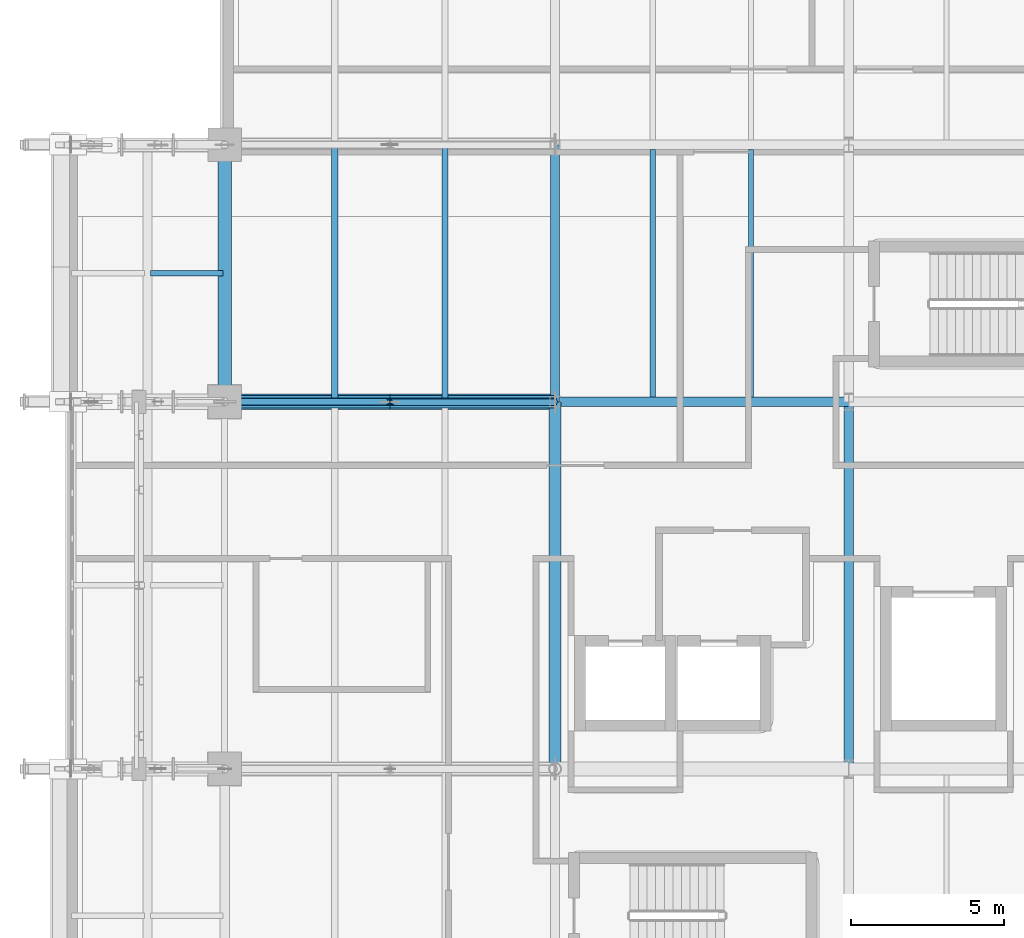
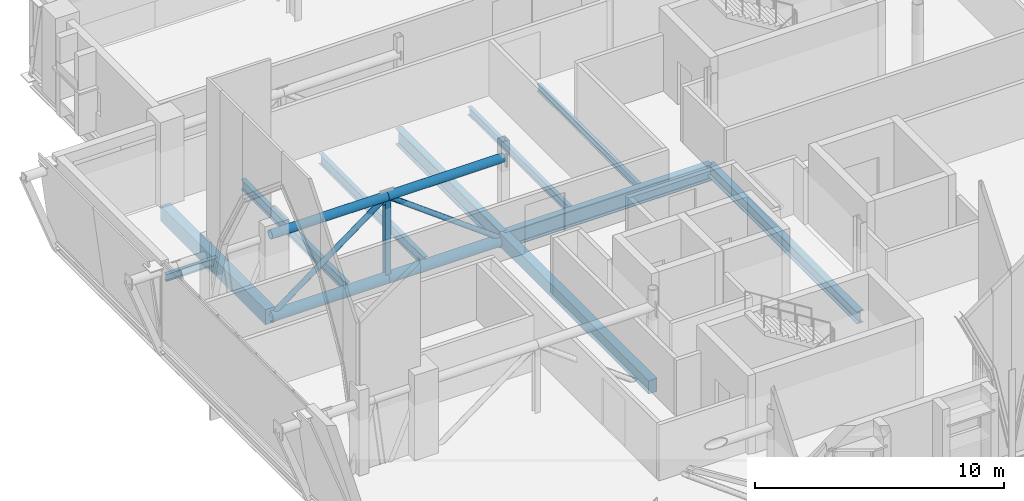
# One storey, part 22 of 90: 10 beams, 7 members.
"""IFC4 building model written with IfcOpenShell, lengths in metres."""

from ifc_helpers import new_model, si_unit, direction, frame, origin, origin_2d, place, context, subcontext, project, spatial, rectangle, hollow_circle, i_section, extrude, material, material_profile, profile_set, type_object, element, save


model = new_model("IFC4")

# Units and contexts
model_context = context("Model", 3, precision=1e-05, world=origin(), true_north=direction((0.0, 1.0)))
body_context = subcontext(model_context, "Body", "Model", "MODEL_VIEW")
ifc_project = project(units=[si_unit("LENGTHUNIT", "METRE"), si_unit("AREAUNIT", "SQUARE_METRE"), si_unit("VOLUMEUNIT", "CUBIC_METRE"), si_unit("PLANEANGLEUNIT", "RADIAN"), si_unit("MASSUNIT", "GRAM", prefix="KILO")], contexts=[model_context])

# Site, building, storey
site_placement = place(None, origin())
site = spatial("IfcSite", under=ifc_project, at=site_placement, CompositionType="ELEMENT")
building_placement = place(site_placement, origin())
building = spatial("IfcBuilding", under=site, at=building_placement, Name="Zereglee Splitstone Museum", CompositionType="ELEMENT")
storey_placement = place(building_placement, frame((0.0, 0.0, 4.800048828125)))
storey = spatial("IfcBuildingStorey", under=building, at=storey_placement, Name="L01", CompositionType="ELEMENT", Elevation=4.800048828125)

# Beam
ifc_material_1 = material(Name="Concrete C40/50", Category="concrete")
ifc_material_profile_1 = material_profile(ifc_material_1, rectangle(XDim=0.39990234375, YDim=0.64990234375, at=origin_2d()), Name="RC 400x650")
ifc_profile_set_1 = profile_set([ifc_material_profile_1], Name="Concrete C40/50")
beam_type_1 = type_object("IfcBeamType", Name="BG-04", PredefinedType="BEAM", material=ifc_profile_set_1)
beam_1_placement = place(storey_placement, frame((20.39990234375, 9.60009765625, -0.625), z_axis=(0.0, 1.0, 0.0), x_axis=(-1.0, 0.0, 0.0)))
element("IfcBeam", 1, at=beam_1_placement, inside=storey, type_object=beam_type_1, Name="Primary Girder L01 4 (9.6-21.6)", PredefinedType="BEAM", context=body_context, shape_type="SweptSolid", body=[
    extrude(rectangle(XDim=0.39990234375, YDim=0.64990234375, at=origin_2d()), origin(), (0.0, 0.0, 1.0), 12.0),
])

# Members
ifc_material_2 = material(Name="Steel S355J2H", Category="steel")
ifc_material_profile_2 = material_profile(ifc_material_2, hollow_circle(Radius=0.122314453125, WallThickness=0.012451171875, at=origin_2d()), Name="CHS 244.5x12.5")
ifc_profile_set_2 = profile_set([ifc_material_profile_2], Name="Steel S355J2H")
member_type_1 = type_object("IfcMemberType", Name="TB-02", PredefinedType="BRACE", material=ifc_profile_set_2)
for number, where, z_axis, x_axis, name in (
    (2, (9.60009765625, 21.60009765625, -0.699951171875), (0.803552044655, 0.0, 0.595234501294), (0.0, 1.0, 0.0), "Cantilever Truss CT-03 Web Brace L01-4"),
    (3, (20.39990234375, 21.60009765625, -0.699951171875), (-0.803552044655, 0.0, 0.595234501294), (0.0, -1.0, 0.0), "Cantilever Truss CT-03 Web Brace L01-5"),
):
    element("IfcMember", number, at=place(storey_placement, frame(where, z_axis=z_axis, x_axis=x_axis)), inside=storey, type_object=member_type_1, Name=name, PredefinedType="BRACE", context=body_context, shape_type="SweptSolid", body=[
        extrude(hollow_circle(Radius=0.122314453125, WallThickness=0.012451171875, at=origin_2d()), origin(), (0.0, 0.0, 1.0), 6.719970703125),
    ])
ifc_material_profile_3 = material_profile(ifc_material_2, hollow_circle(Radius=0.203125, WallThickness=0.02001953125, at=origin_2d()), Name="CHS 406.4x20")
ifc_profile_set_3 = profile_set([ifc_material_profile_3], Name="Steel S355J2H")
member_type_2 = type_object("IfcMemberType", Name="TC-03", PredefinedType="CHORD", material=ifc_profile_set_3)
for number, where, z_axis, x_axis, name in (
    (4, (9.60009765625, 21.60009765625, 3.300048828125), (1.0, 0.0, 0.0), (0.0, 1.0, 0.0), "Cantilever Truss CT-03 Top Chord L01-4"),
    (5, (15.0, 21.60009765625, 3.300048828125), (1.0, 0.0, 0.0), (0.0, 1.0, 0.0), "Cantilever Truss CT-03 Top Chord L01-5"),
):
    element("IfcMember", number, at=place(storey_placement, frame(where, z_axis=z_axis, x_axis=x_axis)), inside=storey, type_object=member_type_2, Name=name, PredefinedType="CHORD", context=body_context, shape_type="SweptSolid", body=[
        extrude(hollow_circle(Radius=0.203125, WallThickness=0.02001953125, at=origin_2d()), origin(), (0.0, 0.0, 1.0), 5.39990234375),
    ])
ifc_material_profile_4 = material_profile(ifc_material_2, hollow_circle(Radius=0.25390625, WallThickness=0.02490234375, at=origin_2d()), Name="CHS 508.0x25")
ifc_profile_set_4 = profile_set([ifc_material_profile_4], Name="Steel S355J2H")
member_type_3 = type_object("IfcMemberType", Name="TC-01", PredefinedType="CHORD", material=ifc_profile_set_4)
for number, where, z_axis, x_axis, name in (
    (6, (9.60009765625, 21.60009765625, -0.699951171875), (1.0, 0.0, 0.0), (0.0, 1.0, 0.0), "Cantilever Truss CT-03 Bottom Chord 4"),
    (7, (15.0, 21.60009765625, -0.699951171875), (1.0, 0.0, 0.0), (0.0, 1.0, 0.0), "Cantilever Truss CT-03 Bottom Chord 5"),
):
    element("IfcMember", number, at=place(storey_placement, frame(where, z_axis=z_axis, x_axis=x_axis)), inside=storey, type_object=member_type_3, Name=name, PredefinedType="CHORD", context=body_context, shape_type="SweptSolid", body=[
        extrude(hollow_circle(Radius=0.25390625, WallThickness=0.02490234375, at=origin_2d()), origin(), (0.0, 0.0, 1.0), 5.39990234375),
    ])

# Beams
ifc_material_3 = material(Name="Steel S355J2", Category="steel")
ifc_material_profile_5 = material_profile(ifc_material_3, i_section(OverallWidth=0.300048828125, OverallDepth=0.60009765625, WebThickness=0.015380859375, FlangeThickness=0.030029296875, FilletRadius=0.027099609375, at=origin_2d()), Name="HE 600 B")
ifc_profile_set_5 = profile_set([ifc_material_profile_5], Name="Steel S355J2")
beam_type_2 = type_object("IfcBeamType", Name="BG-10", PredefinedType="BEAM", material=ifc_profile_set_5)
beam_2_placement = place(storey_placement, frame((30.0, 9.60009765625, -0.60009765625), z_axis=(0.0, 1.0, 0.0), x_axis=(-1.0, 0.0, 0.0)))
element("IfcBeam", 8, at=beam_2_placement, inside=storey, type_object=beam_type_2, Name="Primary Girder L01 5 (9.6-21.6)", PredefinedType="BEAM", context=body_context, shape_type="SweptSolid", body=[
    extrude(i_section(OverallWidth=0.300048828125, OverallDepth=0.60009765625, WebThickness=0.015380859375, FlangeThickness=0.030029296875, FilletRadius=0.027099609375, at=origin_2d()), origin(), (0.0, 0.0, 1.0), 12.0),
])
ifc_material_profile_6 = material_profile(ifc_material_3, i_section(OverallWidth=0.300048828125, OverallDepth=0.800048828125, WebThickness=0.017578125, FlangeThickness=0.032958984375, FilletRadius=0.030029296875, at=origin_2d()), Name="HE 800 B")
ifc_profile_set_6 = profile_set([ifc_material_profile_6], Name="Steel S355J2")
beam_type_3 = type_object("IfcBeamType", Name="BG-07", PredefinedType="BEAM", material=ifc_profile_set_6)
beam_3_placement = place(storey_placement, frame((20.39990234375, 21.60009765625, -0.699951171875), z_axis=(1.0, 0.0, 0.0), x_axis=(0.0, 1.0, 0.0)))
element("IfcBeam", 9, at=beam_3_placement, inside=storey, type_object=beam_type_3, Name="Primary Girder L01 C (20.4-30.0)", PredefinedType="BEAM", context=body_context, shape_type="SweptSolid", body=[
    extrude(i_section(OverallWidth=0.300048828125, OverallDepth=0.800048828125, WebThickness=0.017578125, FlangeThickness=0.032958984375, FilletRadius=0.030029296875, at=origin_2d()), origin(), (0.0, 0.0, 1.0), 9.60009765625),
])
beam_4_placement = place(storey_placement, frame((20.39990234375, 21.60009765625, -0.699951171875), z_axis=(0.0, 1.0, 0.0), x_axis=(-1.0, 0.0, 0.0)))
element("IfcBeam", 10, at=beam_4_placement, inside=storey, type_object=beam_type_3, Name="Primary Girder L01 4 (21.6-30.0)", PredefinedType="BEAM", context=body_context, shape_type="SweptSolid", body=[
    extrude(i_section(OverallWidth=0.300048828125, OverallDepth=0.800048828125, WebThickness=0.017578125, FlangeThickness=0.032958984375, FilletRadius=0.030029296875, at=origin_2d()), origin(), (0.0, 0.0, 1.0), 8.39990234375),
])
ifc_material_profile_7 = material_profile(ifc_material_3, i_section(OverallWidth=0.169921875, OverallDepth=0.360107421875, WebThickness=0.008056640625, FlangeThickness=0.0126953125, FilletRadius=0.01806640625, at=origin_2d()), Name="IPE 360")
ifc_profile_set_7 = profile_set([ifc_material_profile_7], Name="Steel S355J2")
beam_type_4 = type_object("IfcBeamType", Name="BJ-04", PredefinedType="JOIST", material=ifc_profile_set_7)
beam_5_placement = place(storey_placement, frame((26.800048828125, 21.75, -0.47998046875), z_axis=(0.0, 1.0, 0.0), x_axis=(-1.0, 0.0, 0.0)))
element("IfcBeam", 11, at=beam_5_placement, inside=storey, type_object=beam_type_4, Name="Secondary Floor Joist L01-0731", PredefinedType="JOIST", context=body_context, shape_type="SweptSolid", body=[
    extrude(i_section(OverallWidth=0.169921875, OverallDepth=0.360107421875, WebThickness=0.008056640625, FlangeThickness=0.0126953125, FilletRadius=0.01806640625, at=origin_2d()), origin(), (0.0, 0.0, 1.0), 8.10009765625),
])
beam_6_placement = place(storey_placement, frame((7.175048828125, 25.800048828125, -0.47998046875), z_axis=(1.0, 0.0, 0.0), x_axis=(0.0, 1.0, 0.0)))
element("IfcBeam", 12, at=beam_6_placement, inside=storey, type_object=beam_type_4, Name="Cantilever Floor Joist L01-1605", PredefinedType="JOIST", context=body_context, shape_type="SweptSolid", body=[
    extrude(i_section(OverallWidth=0.169921875, OverallDepth=0.360107421875, WebThickness=0.008056640625, FlangeThickness=0.0126953125, FilletRadius=0.01806640625, at=origin_2d()), origin(), (0.0, 0.0, 1.0), 2.375),
])
ifc_material_profile_8 = material_profile(ifc_material_3, i_section(OverallWidth=0.179931640625, OverallDepth=0.39990234375, WebThickness=0.008544921875, FlangeThickness=0.013427734375, FilletRadius=0.02099609375, at=origin_2d()), Name="IPE 400")
ifc_profile_set_8 = profile_set([ifc_material_profile_8], Name="Steel S355J2")
beam_type_5 = type_object("IfcBeamType", Name="BJ-03", PredefinedType="JOIST", material=ifc_profile_set_8)
beam_7_placement = place(storey_placement, frame((23.60009765625, 21.75, -0.5), z_axis=(0.0, 1.0, 0.0), x_axis=(-1.0, 0.0, 0.0)))
element("IfcBeam", 13, at=beam_7_placement, inside=storey, type_object=beam_type_5, Name="Secondary Floor Joist L01-0730", PredefinedType="JOIST", context=body_context, shape_type="SweptSolid", body=[
    extrude(i_section(OverallWidth=0.179931640625, OverallDepth=0.39990234375, WebThickness=0.008544921875, FlangeThickness=0.013427734375, FilletRadius=0.02099609375, at=origin_2d()), origin(), (0.0, 0.0, 1.0), 8.10009765625),
])
ifc_material_profile_9 = material_profile(ifc_material_3, i_section(OverallWidth=0.199951171875, OverallDepth=0.5, WebThickness=0.01025390625, FlangeThickness=0.01611328125, FilletRadius=0.02099609375, at=origin_2d()), Name="IPE 500")
ifc_profile_set_9 = profile_set([ifc_material_profile_9], Name="Steel S355J2")
beam_type_6 = type_object("IfcBeamType", Name="BJ-01", PredefinedType="JOIST", material=ifc_profile_set_9)
for number, where, z_axis, x_axis, name in (
    (14, (13.199951171875, 21.60009765625, -0.550048828125), (0.0, 1.0, 0.0), (-1.0, 0.0, 0.0), "Secondary Floor Joist L01-0728"),
    (15, (16.800048828125, 21.60009765625, -0.550048828125), (0.0, 1.0, 0.0), (-1.0, 0.0, 0.0), "Secondary Floor Joist L01-0729"),
):
    element("IfcBeam", number, at=place(storey_placement, frame(where, z_axis=z_axis, x_axis=x_axis)), inside=storey, type_object=beam_type_6, Name=name, PredefinedType="JOIST", context=body_context, shape_type="SweptSolid", body=[
        extrude(i_section(OverallWidth=0.199951171875, OverallDepth=0.5, WebThickness=0.01025390625, FlangeThickness=0.01611328125, FilletRadius=0.02099609375, at=origin_2d()), origin(), (0.0, 0.0, 1.0), 8.39990234375),
    ])

# Member
ifc_material_profile_10 = material_profile(ifc_material_3, i_section(OverallWidth=0.239990234375, OverallDepth=0.239990234375, WebThickness=0.010009765625, FlangeThickness=0.01708984375, FilletRadius=0.02099609375, at=origin_2d()), Name="HE 240 B")
ifc_profile_set_10 = profile_set([ifc_material_profile_10], Name="Steel S355J2")
member_type_4 = type_object("IfcMemberType", Name="TP-02", PredefinedType="POST", material=ifc_profile_set_10)
member_placement = place(storey_placement, frame((15.0, 21.60009765625, -0.699951171875), z_axis=(0.0, 0.0, 1.0), x_axis=(1.0, 0.0, 0.0)))
element("IfcMember", 16, at=member_placement, inside=storey, type_object=member_type_4, Name="Cantilever Truss CT-03 Post L01-4", PredefinedType="POST", context=body_context, shape_type="SweptSolid", body=[
    extrude(i_section(OverallWidth=0.239990234375, OverallDepth=0.239990234375, WebThickness=0.010009765625, FlangeThickness=0.01708984375, FilletRadius=0.02099609375, at=origin_2d()), origin(), (0.0, 0.0, 1.0), 4.0),
])

# Beam
ifc_material_profile_11 = material_profile(ifc_material_1, rectangle(XDim=0.449951171875, YDim=0.75, at=origin_2d()), Name="RC 450x750")
ifc_profile_set_11 = profile_set([ifc_material_profile_11], Name="Concrete C40/50")
beam_type_7 = type_object("IfcBeamType", Name="SP-01", PredefinedType="SPANDREL", material=ifc_profile_set_11)
beam_8_placement = place(storey_placement, frame((9.60009765625, 21.60009765625, -0.675048828125), z_axis=(0.0, 1.0, 0.0), x_axis=(-1.0, 0.0, 0.0)))
element("IfcBeam", 17, at=beam_8_placement, inside=storey, type_object=beam_type_7, Name="Primary Girder L01 2 (21.6-30.0)", PredefinedType="SPANDREL", context=body_context, shape_type="SweptSolid", body=[
    extrude(rectangle(XDim=0.449951171875, YDim=0.75, at=origin_2d()), origin(), (0.0, 0.0, 1.0), 8.39990234375),
])

save(model, "model.ifc")
